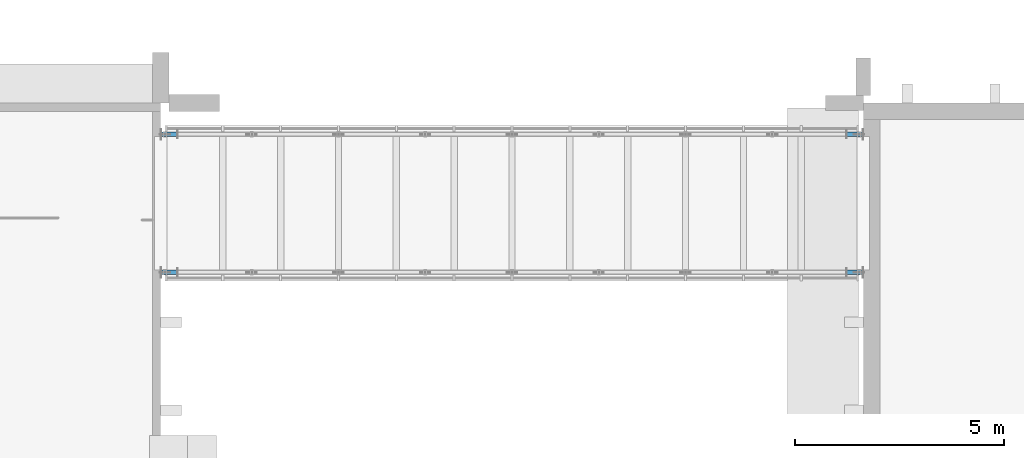
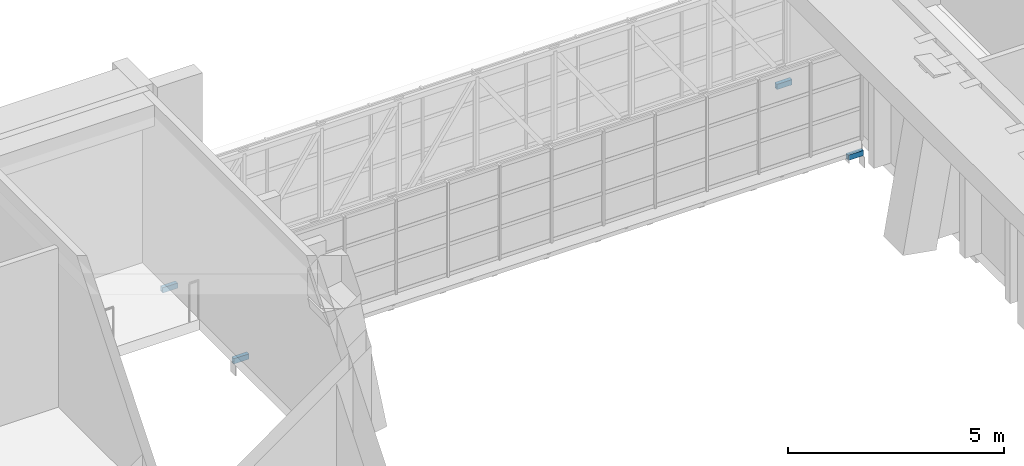
# One storey, part 28 of 86: 4 beams.
"""IFC4 building model written with IfcOpenShell, lengths in metres."""

from ifc_helpers import new_model, si_unit, direction, frame, origin, origin_2d, place, context, subcontext, project, spatial, hollow_rectangle, extrude, material, material_profile, profile_set, type_object, element, save


model = new_model("IFC4")

# Units and contexts
model_context = context("Model", 3, precision=1e-05, world=origin(), true_north=direction((0.0, 1.0)))
body_context = subcontext(model_context, "Body", "Model", "MODEL_VIEW")
ifc_project = project(units=[si_unit("LENGTHUNIT", "METRE"), si_unit("AREAUNIT", "SQUARE_METRE"), si_unit("VOLUMEUNIT", "CUBIC_METRE"), si_unit("PLANEANGLEUNIT", "RADIAN"), si_unit("MASSUNIT", "GRAM", prefix="KILO")], contexts=[model_context])

# Site, building, storey
site_placement = place(None, origin())
site = spatial("IfcSite", under=ifc_project, at=site_placement, CompositionType="ELEMENT")
building_placement = place(site_placement, origin())
building = spatial("IfcBuilding", under=site, at=building_placement, Name="Kiln Court Media Centre", CompositionType="ELEMENT")
storey_placement = place(building_placement, frame((0.0, 0.0, 10.199951171875)))
storey = spatial("IfcBuildingStorey", under=building, at=storey_placement, Name="L02", CompositionType="ELEMENT", Elevation=10.199951171875)

# Beams
ifc_material = material(Name="Steel ASTM A500 Gr C", Category="steel")
ifc_material_profile = material_profile(ifc_material, hollow_rectangle(XDim=0.10009765625, YDim=0.14990234375, WallThickness=0.008056640625, at=origin_2d()), Name="RHS 150x100x8.0")
ifc_profile_set = profile_set([ifc_material_profile], Name="Steel ASTM A500 Gr C")
beam_type = type_object("IfcBeamType", Name="Steel ASTM A500 Gr C RHS 150x100x8.0 bridge bearing seat beam", PredefinedType="BEAM", material=ifc_profile_set)
for number, where, z_axis, x_axis, name in (
    (1, (100.7958984375, 63.14990234375, -0.494873046875), (1.0, 0.0, 0.0), (0.0, 1.0, 0.0), "bridge BR-4 side truss 1 end 1 bridge bearing seat beam"),
    (2, (117.60400390625, 63.14990234375, -0.494873046875), (-1.0, 0.0, 0.0), (0.0, -1.0, 0.0), "bridge BR-4 side truss 1 end 2 bridge bearing seat beam"),
    (3, (100.7958984375, 66.449951171875, -0.494873046875), (1.0, 0.0, 0.0), (0.0, 1.0, 0.0), "bridge BR-4 side truss 2 end 1 bridge bearing seat beam"),
    (4, (117.60400390625, 66.449951171875, -0.494873046875), (-1.0, 0.0, 0.0), (0.0, -1.0, 0.0), "bridge BR-4 side truss 2 end 2 bridge bearing seat beam"),
):
    element("IfcBeam", number, at=place(storey_placement, frame(where, z_axis=z_axis, x_axis=x_axis)), inside=storey, type_object=beam_type, Name=name, PredefinedType="BEAM", context=body_context, shape_type="SweptSolid", body=[
        extrude(hollow_rectangle(XDim=0.10009765625, YDim=0.14990234375, WallThickness=0.008056640625, at=origin_2d()), origin(), (0.0, 0.0, 1.0), 0.404052734375),
    ])

save(model, "model.ifc")
